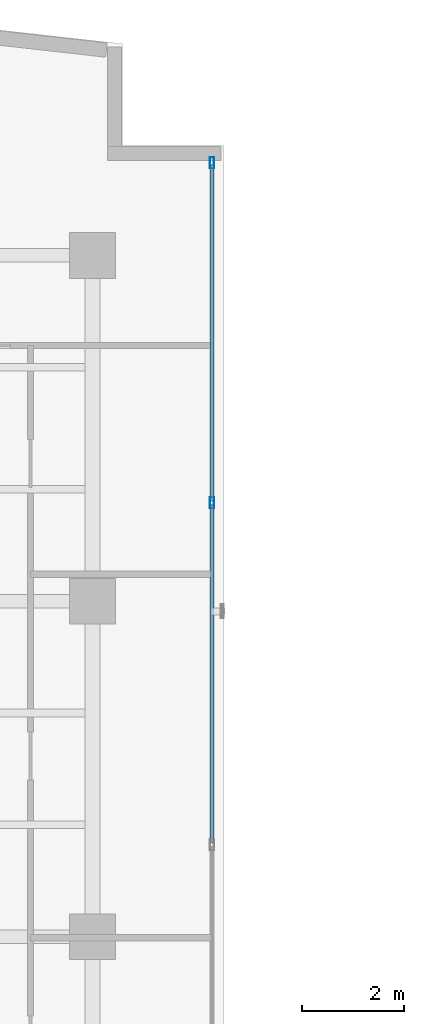
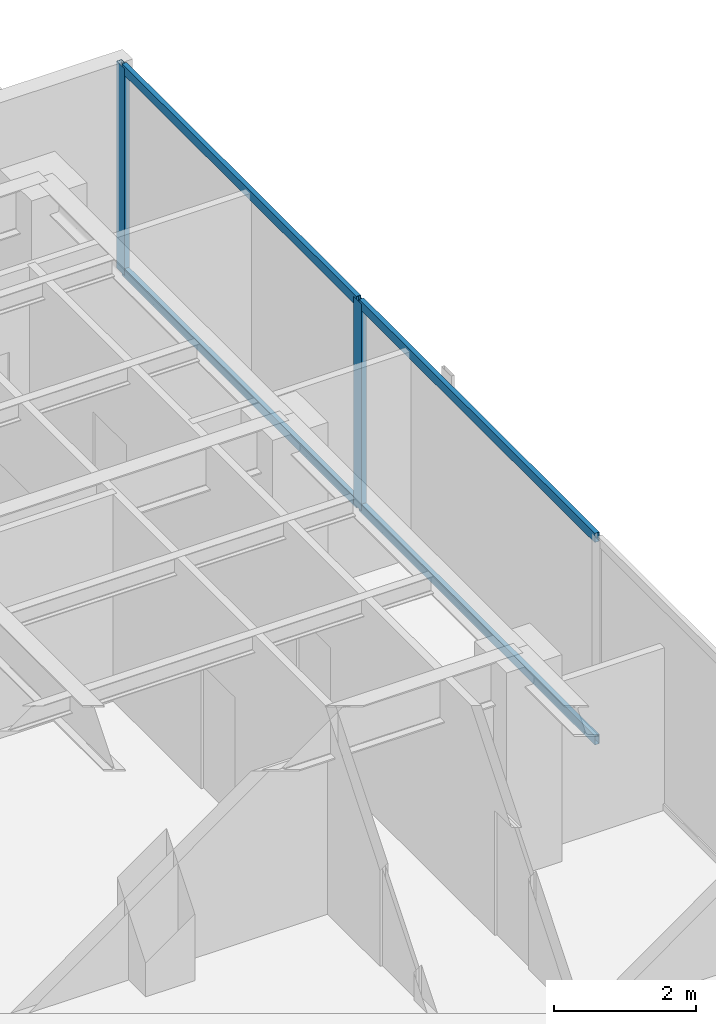
# One storey, part 15 of 22: 6 members, 1 element without a shape of its own.
"""IFC4 building model written with IfcOpenShell, lengths in metres."""

from ifc_helpers import new_model, si_unit, direction, frame, origin, origin_with_axes, origin_2d, place, context, subcontext, project, spatial, hollow_rectangle, extrude, source, transform, mapped, material, layer, layer_set, material_profile, profile_set, type_object, element, aggregate, save


model = new_model("IFC4")

# Units and contexts
model_context = context("Model", 3, precision=1e-05, world=origin(), true_north=direction((0.0, 1.0)))
body_context = subcontext(model_context, "Body", "Model", "MODEL_VIEW")
ifc_project = project(units=[si_unit("LENGTHUNIT", "METRE"), si_unit("AREAUNIT", "SQUARE_METRE"), si_unit("VOLUMEUNIT", "CUBIC_METRE"), si_unit("PLANEANGLEUNIT", "RADIAN"), si_unit("MASSUNIT", "GRAM", prefix="KILO")], contexts=[model_context])

# Site, building, storey
site_placement = place(None, origin())
site = spatial("IfcSite", under=ifc_project, at=site_placement, CompositionType="ELEMENT")
building_placement = place(site_placement, origin())
building = spatial("IfcBuilding", under=site, at=building_placement, Name="Kolvaren Waterfront Exchange", CompositionType="ELEMENT")
storey_placement = place(building_placement, frame((0.0, 0.0, 266.60009765625)))
storey = spatial("IfcBuildingStorey", under=building, at=storey_placement, Name="L68", CompositionType="ELEMENT", Elevation=266.60009765625)

# Curtain wall, members
ifc_material_1 = material(Name="Anodised bronze aluminium 6063-T6", Category="aluminium")
ifc_layer = layer(ifc_material_1, 0.219970703125, Name="Anodised bronze aluminium 6063-T6")
ifc_layer_set = layer_set([ifc_layer], Name="Anodised bronze aluminium 6063-T6")
curtain_wall_type = type_object("IfcCurtainWallType", Name="ARC-CW-SYS1", PredefinedType="USERDEFINED", material=ifc_layer_set)
curtain_wall_placement = place(storey_placement, origin())
curtain_wall = element("IfcCurtainWall", 1, at=curtain_wall_placement, inside=storey, type_object=curtain_wall_type, Name="L68 stick curtain wall CW1 (CW-L68-NE)", ObjectType="STICK CURTAIN WALL", PredefinedType="USERDEFINED")
ifc_material_2 = material(Name="Anodised aluminium 6063-T6", Category="aluminium")
ifc_material_profile_1 = material_profile(ifc_material_2, hollow_rectangle(XDim=0.080078125, YDim=0.219970703125, WallThickness=0.0048828125, at=origin_2d()), Name="ALU-MUL-220x80x5")
ifc_profile_set_1 = profile_set([ifc_material_profile_1], Name="Anodised aluminium 6063-T6")
member_type_1 = type_object("IfcMemberType", Name="ARC-CWM-220", PredefinedType="MULLION", material=ifc_profile_set_1)
shared_shape_1 = source(origin_with_axes(), body_context, "Body", "SweptSolid", [
    extrude(hollow_rectangle(XDim=0.080078125, YDim=0.219970703125, WallThickness=0.0048828125, at=origin_2d()), origin(), (0.0, 0.0, 1.0), 3.559814453125),
])
member_1_placement = place(storey_placement, frame((21.1494140625, 39.7353515625, 0.0), z_axis=(0.0, 0.0, 1.0), x_axis=(-1.0, 0.0, 0.0)))
member_1 = element("IfcMember", 2, at=member_1_placement, type_object=member_type_1, Name="CW1 mullion 3", PredefinedType="MULLION", context=body_context, shape_type="MappedRepresentation", body=[
    mapped(shared_shape_1, transform((0.0, 0.0, 0.0), x_axis=(1.0, 0.0, 0.0), y_axis=(0.0, 1.0, 0.0), z_axis=(0.0, 0.0, 1.0), scale=1.0)),
])
member_2_placement = place(storey_placement, frame((21.1494140625, 46.423095703125, 0.0), z_axis=(0.0, 0.0, 1.0), x_axis=(-1.0, 0.0, 0.0)))
member_2 = element("IfcMember", 3, at=member_2_placement, type_object=member_type_1, Name="CW1 mullion 4", PredefinedType="MULLION", context=body_context, shape_type="MappedRepresentation", body=[
    mapped(shared_shape_1, transform((0.0, 0.0, 0.0), x_axis=(1.0, 0.0, 0.0), y_axis=(0.0, 1.0, 0.0), z_axis=(0.0, 0.0, 1.0), scale=1.0)),
])
ifc_material_profile_2 = material_profile(ifc_material_2, hollow_rectangle(XDim=0.074951171875, YDim=0.159912109375, WallThickness=0.00439453125, at=origin_2d()), Name="ALU-TRN-160x75x4.5")
ifc_profile_set_2 = profile_set([ifc_material_profile_2], Name="Anodised aluminium 6063-T6")
member_type_2 = type_object("IfcMemberType", Name="ARC-CWT-160", PredefinedType="USERDEFINED", material=ifc_profile_set_2)
shared_shape_2 = source(origin_with_axes(), body_context, "Body", "SweptSolid", [
    extrude(hollow_rectangle(XDim=0.074951171875, YDim=0.159912109375, WallThickness=0.00439453125, at=origin_2d()), origin(), (0.0, 0.0, 1.0), 6.64794921875),
])
member_3_placement = place(storey_placement, frame((21.1494140625, 33.04736328125, 0.037353515625), z_axis=(0.0, 1.0, 0.0), x_axis=(-1.0, 0.0, 0.0)))
member_3 = element("IfcMember", 4, at=member_3_placement, type_object=member_type_2, Name="CW1 transom 2.1", ObjectType="TRANSOM", PredefinedType="USERDEFINED", context=body_context, shape_type="MappedRepresentation", body=[
    mapped(shared_shape_2, transform((0.0, 0.0, 0.0), x_axis=(1.0, 0.0, 0.0), y_axis=(0.0, 1.0, 0.0), z_axis=(0.0, 0.0, 1.0), scale=1.0)),
])
member_4_placement = place(storey_placement, frame((21.1494140625, 33.04736328125, 3.5224609375), z_axis=(0.0, 1.0, 0.0), x_axis=(-1.0, 0.0, 0.0)))
member_4 = element("IfcMember", 5, at=member_4_placement, type_object=member_type_2, Name="CW1 transom 2.2", ObjectType="TRANSOM", PredefinedType="USERDEFINED", context=body_context, shape_type="MappedRepresentation", body=[
    mapped(shared_shape_2, transform((0.0, 0.0, 0.0), x_axis=(1.0, 0.0, 0.0), y_axis=(0.0, 1.0, 0.0), z_axis=(0.0, 0.0, 1.0), scale=1.0)),
])
shared_shape_3 = source(origin_with_axes(), body_context, "Body", "SweptSolid", [
    extrude(hollow_rectangle(XDim=0.074951171875, YDim=0.159912109375, WallThickness=0.00439453125, at=origin_2d()), origin(), (0.0, 0.0, 1.0), 6.60791015625),
])
member_5_placement = place(storey_placement, frame((21.1494140625, 39.775390625, 0.037353515625), z_axis=(0.0, 1.0, 0.0), x_axis=(-1.0, 0.0, 0.0)))
member_5 = element("IfcMember", 6, at=member_5_placement, type_object=member_type_2, Name="CW1 transom 3.1", ObjectType="TRANSOM", PredefinedType="USERDEFINED", context=body_context, shape_type="MappedRepresentation", body=[
    mapped(shared_shape_3, transform((0.0, 0.0, 0.0), x_axis=(1.0, 0.0, 0.0), y_axis=(0.0, 1.0, 0.0), z_axis=(0.0, 0.0, 1.0), scale=1.0)),
])
member_6_placement = place(storey_placement, frame((21.1494140625, 39.775390625, 3.5224609375), z_axis=(0.0, 1.0, 0.0), x_axis=(-1.0, 0.0, 0.0)))
member_6 = element("IfcMember", 7, at=member_6_placement, type_object=member_type_2, Name="CW1 transom 3.2", ObjectType="TRANSOM", PredefinedType="USERDEFINED", context=body_context, shape_type="MappedRepresentation", body=[
    mapped(shared_shape_3, transform((0.0, 0.0, 0.0), x_axis=(1.0, 0.0, 0.0), y_axis=(0.0, 1.0, 0.0), z_axis=(0.0, 0.0, 1.0), scale=1.0)),
])
aggregate(curtain_wall, [member_1, member_2, member_3, member_4, member_5, member_6])

save(model, "model.ifc")
